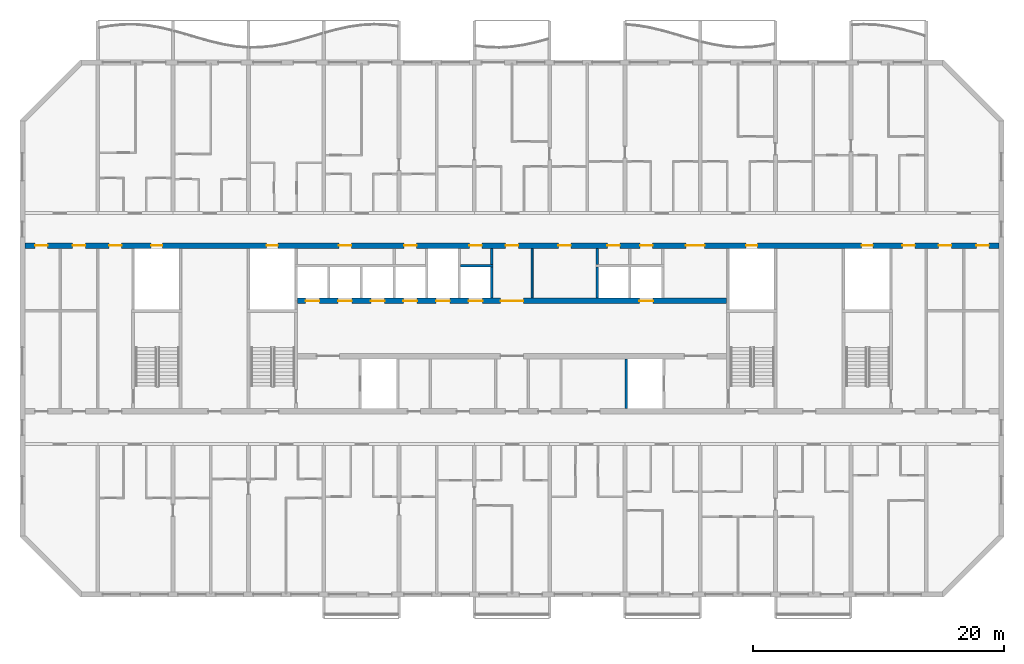
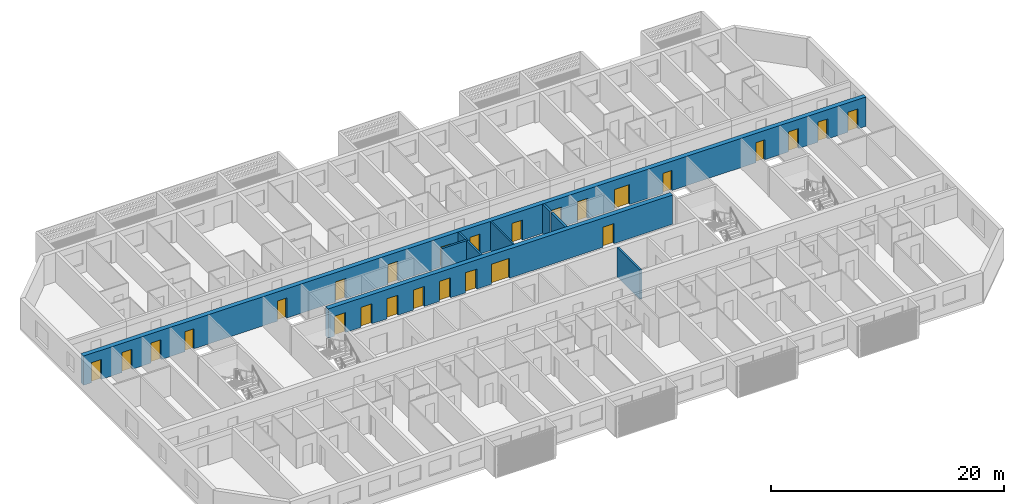
# One storey, part 7 of 32: 26 doors, 9 walls, 26 openings.
"""IFC4 building model written with IfcOpenShell, lengths in metres."""

from ifc_helpers import new_model, si_unit, direction, frame, frame_2d, origin, place, context, subcontext, project, spatial, rectangle, extrude, material, layer, layer_set, type_object, element, fill, save


model = new_model("IFC4")

# Units and contexts
model_context = context("Model", 3, precision=1e-05, world=origin(), true_north=direction((0.0, 1.0)))
body_context = subcontext(model_context, "Body", "Model", "MODEL_VIEW")
ifc_project = project(units=[si_unit("LENGTHUNIT", "METRE"), si_unit("AREAUNIT", "SQUARE_METRE"), si_unit("VOLUMEUNIT", "CUBIC_METRE"), si_unit("PLANEANGLEUNIT", "RADIAN"), si_unit("MASSUNIT", "GRAM", prefix="KILO")], contexts=[model_context])

# Site, building, storey
site_placement = place(None, origin())
site = spatial("IfcSite", under=ifc_project, at=site_placement, CompositionType="ELEMENT")
building_placement = place(site_placement, origin())
building = spatial("IfcBuilding", under=site, at=building_placement, Name="Poui Terraces", CompositionType="ELEMENT")
storey_placement = place(building_placement, frame((0.0, 0.0, 125.699951171875)))
storey = spatial("IfcBuildingStorey", under=building, at=storey_placement, Name="L34", CompositionType="ELEMENT", Elevation=125.699951171875)

# Wall, openings, doors
ifc_material_1 = material(Name="Concrete 65 MPa", Category="concrete")
ifc_layer_1 = layer(ifc_material_1, 0.449951171875)
ifc_layer_set_1 = layer_set([ifc_layer_1], Name="Concrete 65 MPa")
wall_type_1 = type_object("IfcWallType", Name="CORE WALL 450 65 MPA", PredefinedType="SOLIDWALL", material=ifc_layer_set_1)
wall_1_placement = place(storey_placement, frame((33.925048828125, 23.39990234375, 0.0), z_axis=(0.0, 0.0, 1.0), x_axis=(1.0, 0.0, 0.0)))
wall_1 = element("IfcWall", 1, at=wall_1_placement, inside=storey, type_object=wall_type_1, Name="CORE WALL", PredefinedType="SOLIDWALL", context=body_context, shape_type="SweptSolid", body=[
    extrude(rectangle(XDim=34.14990234375, YDim=0.449951171875, at=frame_2d((17.074951171875, 0.0))), origin(), (0.0, 0.0, 1.0), 3.070068359375),
])
opening_1_placement = place(wall_1_placement, frame((16.175048828125, 0.0, 0.0)))
opening_1 = element("IfcOpeningElement", 2, at=opening_1_placement, cuts=wall_1, Name="Opening FDD60", PredefinedType="OPENING", context=body_context, shape_type="SweptSolid", body=[
    extrude(rectangle(XDim=1.800048828125, YDim=2.10009765625, at=frame_2d((0.89990234375, 1.050048828125))), frame((0.0, 0.23486328125, 0.0), z_axis=(0.0, -1.0, 0.0), x_axis=(1.0, 0.0, 0.0)), (0.0, 0.0, 1.0), 0.469970703125),
])
opening_2_placement = place(wall_1_placement, frame((0.625, 0.0, 0.0)))
opening_2 = element("IfcOpeningElement", 3, at=opening_2_placement, cuts=wall_1, Name="Opening LD", PredefinedType="OPENING", context=body_context, shape_type="SweptSolid", body=[
    extrude(rectangle(XDim=1.10009765625, YDim=2.10009765625, at=frame_2d((0.550048828125, 1.050048828125))), frame((0.0, 0.23486328125, 0.0), z_axis=(0.0, -1.0, 0.0), x_axis=(1.0, 0.0, 0.0)), (0.0, 0.0, 1.0), 0.469970703125),
])
opening_3_placement = place(wall_1_placement, frame((3.22509765625, 0.0, 0.0)))
opening_3 = element("IfcOpeningElement", 4, at=opening_3_placement, cuts=wall_1, Name="Opening LD", PredefinedType="OPENING", context=body_context, shape_type="SweptSolid", body=[
    extrude(rectangle(XDim=1.10009765625, YDim=2.10009765625, at=frame_2d((0.550048828125, 1.050048828125))), frame((0.0, 0.23486328125, 0.0), z_axis=(0.0, -1.0, 0.0), x_axis=(1.0, 0.0, 0.0)), (0.0, 0.0, 1.0), 0.469970703125),
])
opening_4_placement = place(wall_1_placement, frame((5.824951171875, 0.0, 0.0)))
opening_4 = element("IfcOpeningElement", 5, at=opening_4_placement, cuts=wall_1, Name="Opening LD", PredefinedType="OPENING", context=body_context, shape_type="SweptSolid", body=[
    extrude(rectangle(XDim=1.10009765625, YDim=2.10009765625, at=frame_2d((0.550048828125, 1.050048828125))), frame((0.0, 0.23486328125, 0.0), z_axis=(0.0, -1.0, 0.0), x_axis=(1.0, 0.0, 0.0)), (0.0, 0.0, 1.0), 0.469970703125),
])
opening_5_placement = place(wall_1_placement, frame((8.425048828125, 0.0, 0.0)))
opening_5 = element("IfcOpeningElement", 6, at=opening_5_placement, cuts=wall_1, Name="Opening LD", PredefinedType="OPENING", context=body_context, shape_type="SweptSolid", body=[
    extrude(rectangle(XDim=1.10009765625, YDim=2.10009765625, at=frame_2d((0.550048828125, 1.050048828125))), frame((0.0, 0.23486328125, 0.0), z_axis=(0.0, -1.0, 0.0), x_axis=(1.0, 0.0, 0.0)), (0.0, 0.0, 1.0), 0.469970703125),
])
opening_6_placement = place(wall_1_placement, frame((11.02490234375, 0.0, 0.0)))
opening_6 = element("IfcOpeningElement", 7, at=opening_6_placement, cuts=wall_1, Name="Opening LD", PredefinedType="OPENING", context=body_context, shape_type="SweptSolid", body=[
    extrude(rectangle(XDim=1.10009765625, YDim=2.10009765625, at=frame_2d((0.550048828125, 1.050048828125))), frame((0.0, 0.23486328125, 0.0), z_axis=(0.0, -1.0, 0.0), x_axis=(1.0, 0.0, 0.0)), (0.0, 0.0, 1.0), 0.469970703125),
])
opening_7_placement = place(wall_1_placement, frame((13.625, 0.0, 0.0)))
opening_7 = element("IfcOpeningElement", 8, at=opening_7_placement, cuts=wall_1, Name="Opening LD", PredefinedType="OPENING", context=body_context, shape_type="SweptSolid", body=[
    extrude(rectangle(XDim=1.10009765625, YDim=2.10009765625, at=frame_2d((0.550048828125, 1.050048828125))), frame((0.0, 0.23486328125, 0.0), z_axis=(0.0, -1.0, 0.0), x_axis=(1.0, 0.0, 0.0)), (0.0, 0.0, 1.0), 0.469970703125),
])
opening_8_placement = place(wall_1_placement, frame((27.22509765625, 0.0, 0.0)))
opening_8 = element("IfcOpeningElement", 9, at=opening_8_placement, cuts=wall_1, Name="Opening LD", PredefinedType="OPENING", context=body_context, shape_type="SweptSolid", body=[
    extrude(rectangle(XDim=1.10009765625, YDim=2.10009765625, at=frame_2d((0.550048828125, 1.050048828125))), frame((0.0, 0.23486328125, 0.0), z_axis=(0.0, -1.0, 0.0), x_axis=(1.0, 0.0, 0.0)), (0.0, 0.0, 1.0), 0.469970703125),
])
ifc_material_2 = material(Name="Steel fire door", Category="steel")
door_type_1 = type_object("IfcDoorType", Name="DOUBLE LOBBY FIRE DOOR 1800 X 2100", OperationType="DOUBLE_DOOR_SINGLE_SWING", PredefinedType="DOOR", material=ifc_material_2)
door_1_placement = place(opening_1_placement, origin())
door_1 = element("IfcDoor", 10, at=door_1_placement, inside=storey, type_object=door_type_1, Name="DOUBLE LOBBY FIRE DOOR 125", OperationType="DOUBLE_DOOR_SINGLE_SWING", OverallHeight=2.10009765625, OverallWidth=1.800048828125, PredefinedType="DOOR", context=body_context, shape_type="SweptSolid", body=[
    extrude(rectangle(XDim=1.800048828125, YDim=2.10009765625, at=frame_2d((0.89990234375, 1.050048828125))), frame((0.0, 0.02490234375, 0.0), z_axis=(0.0, -1.0, 0.0), x_axis=(1.0, 0.0, 0.0)), (0.0, 0.0, 1.0), 0.050048828125),
])
fill(opening_1, door_1)
ifc_material_3 = material(Name="Stainless steel sliding door", Category="steel")
door_type_2 = type_object("IfcDoorType", Name="LIFT LANDING DOOR 1100 X 2100", OperationType="DOUBLE_DOOR_SLIDING", PredefinedType="DOOR", material=ifc_material_3)
door_2_placement = place(opening_2_placement, origin())
door_2 = element("IfcDoor", 11, at=door_2_placement, inside=storey, type_object=door_type_2, Name="LANDING DOOR", OperationType="DOUBLE_DOOR_SLIDING", OverallHeight=2.10009765625, OverallWidth=1.10009765625, PredefinedType="DOOR", context=body_context, shape_type="SweptSolid", body=[
    extrude(rectangle(XDim=1.10009765625, YDim=2.10009765625, at=frame_2d((0.550048828125, 1.050048828125))), frame((0.0, 0.02490234375, 0.0), z_axis=(0.0, -1.0, 0.0), x_axis=(1.0, 0.0, 0.0)), (0.0, 0.0, 1.0), 0.050048828125),
])
fill(opening_2, door_2)
door_3_placement = place(opening_3_placement, origin())
door_3 = element("IfcDoor", 12, at=door_3_placement, inside=storey, type_object=door_type_2, Name="LANDING DOOR", OperationType="DOUBLE_DOOR_SLIDING", OverallHeight=2.10009765625, OverallWidth=1.10009765625, PredefinedType="DOOR", context=body_context, shape_type="SweptSolid", body=[
    extrude(rectangle(XDim=1.10009765625, YDim=2.10009765625, at=frame_2d((0.550048828125, 1.050048828125))), frame((0.0, 0.02490234375, 0.0), z_axis=(0.0, -1.0, 0.0), x_axis=(1.0, 0.0, 0.0)), (0.0, 0.0, 1.0), 0.050048828125),
])
fill(opening_3, door_3)
door_4_placement = place(opening_4_placement, origin())
door_4 = element("IfcDoor", 13, at=door_4_placement, inside=storey, type_object=door_type_2, Name="LANDING DOOR", OperationType="DOUBLE_DOOR_SLIDING", OverallHeight=2.10009765625, OverallWidth=1.10009765625, PredefinedType="DOOR", context=body_context, shape_type="SweptSolid", body=[
    extrude(rectangle(XDim=1.10009765625, YDim=2.10009765625, at=frame_2d((0.550048828125, 1.050048828125))), frame((0.0, 0.02490234375, 0.0), z_axis=(0.0, -1.0, 0.0), x_axis=(1.0, 0.0, 0.0)), (0.0, 0.0, 1.0), 0.050048828125),
])
fill(opening_4, door_4)
door_5_placement = place(opening_5_placement, origin())
door_5 = element("IfcDoor", 14, at=door_5_placement, inside=storey, type_object=door_type_2, Name="LANDING DOOR", OperationType="DOUBLE_DOOR_SLIDING", OverallHeight=2.10009765625, OverallWidth=1.10009765625, PredefinedType="DOOR", context=body_context, shape_type="SweptSolid", body=[
    extrude(rectangle(XDim=1.10009765625, YDim=2.10009765625, at=frame_2d((0.550048828125, 1.050048828125))), frame((0.0, 0.02490234375, 0.0), z_axis=(0.0, -1.0, 0.0), x_axis=(1.0, 0.0, 0.0)), (0.0, 0.0, 1.0), 0.050048828125),
])
fill(opening_5, door_5)
door_6_placement = place(opening_6_placement, origin())
door_6 = element("IfcDoor", 15, at=door_6_placement, inside=storey, type_object=door_type_2, Name="LANDING DOOR", OperationType="DOUBLE_DOOR_SLIDING", OverallHeight=2.10009765625, OverallWidth=1.10009765625, PredefinedType="DOOR", context=body_context, shape_type="SweptSolid", body=[
    extrude(rectangle(XDim=1.10009765625, YDim=2.10009765625, at=frame_2d((0.550048828125, 1.050048828125))), frame((0.0, 0.02490234375, 0.0), z_axis=(0.0, -1.0, 0.0), x_axis=(1.0, 0.0, 0.0)), (0.0, 0.0, 1.0), 0.050048828125),
])
fill(opening_6, door_6)
door_7_placement = place(opening_7_placement, origin())
door_7 = element("IfcDoor", 16, at=door_7_placement, inside=storey, type_object=door_type_2, Name="LANDING DOOR", OperationType="DOUBLE_DOOR_SLIDING", OverallHeight=2.10009765625, OverallWidth=1.10009765625, PredefinedType="DOOR", context=body_context, shape_type="SweptSolid", body=[
    extrude(rectangle(XDim=1.10009765625, YDim=2.10009765625, at=frame_2d((0.550048828125, 1.050048828125))), frame((0.0, 0.02490234375, 0.0), z_axis=(0.0, -1.0, 0.0), x_axis=(1.0, 0.0, 0.0)), (0.0, 0.0, 1.0), 0.050048828125),
])
fill(opening_7, door_7)
door_8_placement = place(opening_8_placement, origin())
door_8 = element("IfcDoor", 17, at=door_8_placement, inside=storey, type_object=door_type_2, Name="LANDING DOOR", OperationType="DOUBLE_DOOR_SLIDING", OverallHeight=2.10009765625, OverallWidth=1.10009765625, PredefinedType="DOOR", context=body_context, shape_type="SweptSolid", body=[
    extrude(rectangle(XDim=1.10009765625, YDim=2.10009765625, at=frame_2d((0.550048828125, 1.050048828125))), frame((0.0, 0.02490234375, 0.0), z_axis=(0.0, -1.0, 0.0), x_axis=(1.0, 0.0, 0.0)), (0.0, 0.0, 1.0), 0.050048828125),
])
fill(opening_8, door_8)

# Walls
ifc_material_4 = material(Name="Fire-rated plasterboard wall")
ifc_layer_2 = layer(ifc_material_4, 0.14990234375)
ifc_layer_set_2 = layer_set([ifc_layer_2], Name="Fire-rated plasterboard wall")
wall_type_2 = type_object("IfcWallType", Name="CORRIDOR WALL 150", PredefinedType="PARTITIONING", material=ifc_layer_set_2)
wall_2_placement = place(storey_placement, frame((52.60009765625, 23.635009765625, 0.0), z_axis=(0.0, 0.0, 1.0), x_axis=(0.0, 1.0, 0.0)))
element("IfcWall", 18, at=wall_2_placement, inside=storey, type_object=wall_type_2, Name="CORRIDOR WALL 150", PredefinedType="PARTITIONING", context=body_context, shape_type="SweptSolid", body=[
    extrude(rectangle(XDim=3.929931640625, YDim=0.14990234375, at=frame_2d((1.96484375, 0.0))), origin(), (0.0, 0.0, 1.0), 3.070068359375),
])
ifc_material_5 = material(Name="Fire-rated masonry wall", Category="masonry")
ifc_layer_3 = layer(ifc_material_5, 0.199951171875)
ifc_layer_set_3 = layer_set([ifc_layer_3], Name="Fire-rated masonry wall")
wall_type_3 = type_object("IfcWallType", Name="PLANT ROOM WALL 200", PredefinedType="PARTITIONING", material=ifc_layer_set_3)
for number, where, z_axis, x_axis, name in (
    (19, (49.39990234375, 26.300048828125, 0.0), (0.0, 0.0, 1.0), (0.0, 1.0, 0.0), "PLANT ROOM WALL 200"),
    (20, (57.800048828125, 26.300048828125, 0.0), (0.0, 0.0, 1.0), (0.0, 1.0, 0.0), "PLANT ROOM WALL 200"),
):
    element("IfcWall", number, at=place(storey_placement, frame(where, z_axis=z_axis, x_axis=x_axis)), inside=storey, type_object=wall_type_3, Name=name, PredefinedType="PARTITIONING", context=body_context, shape_type="SweptSolid", body=[
        extrude(rectangle(XDim=1.264892578125, YDim=0.199951171875, at=frame_2d((0.63232421875, 0.0))), origin(), (0.0, 0.0, 1.0), 3.070068359375),
    ])
ifc_material_6 = material(Name="Fire-rated masonry shaft wall", Category="masonry")
ifc_layer_4 = layer(ifc_material_6, 0.199951171875)
ifc_layer_set_4 = layer_set([ifc_layer_4], Name="Fire-rated masonry shaft wall")
wall_type_4 = type_object("IfcWallType", Name="SHAFT WALL 200", PredefinedType="PARTITIONING", material=ifc_layer_set_4)
wall_3_placement = place(storey_placement, frame((46.89990234375, 26.199951171875, 0.0), z_axis=(0.0, 0.0, 1.0), x_axis=(1.0, 0.0, 0.0)))
element("IfcWall", 21, at=wall_3_placement, inside=storey, type_object=wall_type_4, Name="SHAFT WALL 200", PredefinedType="PARTITIONING", context=body_context, shape_type="SweptSolid", body=[
    extrude(rectangle(XDim=2.60009765625, YDim=0.199951171875, at=frame_2d((1.300048828125, 0.0))), origin(), (0.0, 0.0, 1.0), 3.070068359375),
])
for number, where, z_axis, x_axis, name in (
    (22, (49.39990234375, 23.635009765625, 0.0), (0.0, 0.0, 1.0), (0.0, 1.0, 0.0), "SHAFT WALL 200"),
    (23, (57.800048828125, 23.635009765625, 0.0), (0.0, 0.0, 1.0), (0.0, 1.0, 0.0), "SHAFT WALL 200"),
):
    element("IfcWall", number, at=place(storey_placement, frame(where, z_axis=z_axis, x_axis=x_axis)), inside=storey, type_object=wall_type_4, Name=name, PredefinedType="PARTITIONING", context=body_context, shape_type="SweptSolid", body=[
        extrude(rectangle(XDim=2.465087890625, YDim=0.199951171875, at=frame_2d((1.232421875, 0.0))), origin(), (0.0, 0.0, 1.0), 3.070068359375),
    ])
wall_4_placement = place(storey_placement, frame((60.10009765625, 14.8349609375, 0.0), z_axis=(0.0, 0.0, 1.0), x_axis=(0.0, 1.0, 0.0)))
element("IfcWall", 24, at=wall_4_placement, inside=storey, type_object=wall_type_4, Name="SHAFT WALL 200", PredefinedType="PARTITIONING", context=body_context, shape_type="SweptSolid", body=[
    extrude(rectangle(XDim=3.929931640625, YDim=0.199951171875, at=frame_2d((1.96484375, 0.0))), origin(), (0.0, 0.0, 1.0), 3.070068359375),
])

# Wall, openings, doors
ifc_layer_5 = layer(ifc_material_1, 0.449951171875)
ifc_layer_set_5 = layer_set([ifc_layer_5], Name="Concrete 65 MPa")
wall_type_5 = type_object("IfcWallType", Name="SPINE WALL 450 65 MPA", PredefinedType="SOLIDWALL", material=ifc_layer_set_5)
wall_5_placement = place(storey_placement, frame((12.199951171875, 27.800048828125, 0.0), z_axis=(0.0, 0.0, 1.0), x_axis=(1.0, 0.0, 0.0)))
wall_5 = element("IfcWall", 25, at=wall_5_placement, inside=storey, type_object=wall_type_5, Name="SPINE WALL", PredefinedType="SOLIDWALL", context=body_context, shape_type="SweptSolid", body=[
    extrude(rectangle(XDim=77.60009765625, YDim=0.449951171875, at=frame_2d((38.800048828125, 0.0))), origin(), (0.0, 0.0, 1.0), 3.070068359375),
])
opening_9_placement = place(wall_5_placement, frame((0.800048828125, 0.0, 0.0)))
opening_9 = element("IfcOpeningElement", 26, at=opening_9_placement, cuts=wall_5, Name="Opening FD60", PredefinedType="OPENING", context=body_context, shape_type="SweptSolid", body=[
    extrude(rectangle(XDim=1.0, YDim=2.10009765625, at=frame_2d((0.5, 1.050048828125))), frame((0.0, 0.23486328125, 0.0), z_axis=(0.0, -1.0, 0.0), x_axis=(1.0, 0.0, 0.0)), (0.0, 0.0, 1.0), 0.469970703125),
])
opening_10_placement = place(wall_5_placement, frame((3.800048828125, 0.0, 0.0)))
opening_10 = element("IfcOpeningElement", 27, at=opening_10_placement, cuts=wall_5, Name="Opening D100", PredefinedType="OPENING", context=body_context, shape_type="SweptSolid", body=[
    extrude(rectangle(XDim=1.0, YDim=2.10009765625, at=frame_2d((0.5, 1.050048828125))), frame((0.0, 0.23486328125, 0.0), z_axis=(0.0, -1.0, 0.0), x_axis=(1.0, 0.0, 0.0)), (0.0, 0.0, 1.0), 0.469970703125),
])
opening_11_placement = place(wall_5_placement, frame((6.699951171875, 0.0, 0.0)))
opening_11 = element("IfcOpeningElement", 28, at=opening_11_placement, cuts=wall_5, Name="Opening FDL", PredefinedType="OPENING", context=body_context, shape_type="SweptSolid", body=[
    extrude(rectangle(XDim=1.0, YDim=2.10009765625, at=frame_2d((0.5, 1.050048828125))), frame((0.0, 0.23486328125, 0.0), z_axis=(0.0, -1.0, 0.0), x_axis=(1.0, 0.0, 0.0)), (0.0, 0.0, 1.0), 0.469970703125),
])
opening_12_placement = place(wall_5_placement, frame((10.050048828125, 0.0, 0.0)))
opening_12 = element("IfcOpeningElement", 29, at=opening_12_placement, cuts=wall_5, Name="Opening FDR", PredefinedType="OPENING", context=body_context, shape_type="SweptSolid", body=[
    extrude(rectangle(XDim=0.89990234375, YDim=2.10009765625, at=frame_2d((0.449951171875, 1.050048828125))), frame((0.0, 0.23486328125, 0.0), z_axis=(0.0, -1.0, 0.0), x_axis=(1.0, 0.0, 0.0)), (0.0, 0.0, 1.0), 0.469970703125),
])
opening_13_placement = place(wall_5_placement, frame((19.25, 0.0, 0.0)))
opening_13 = element("IfcOpeningElement", 30, at=opening_13_placement, cuts=wall_5, Name="Opening FDR", PredefinedType="OPENING", context=body_context, shape_type="SweptSolid", body=[
    extrude(rectangle(XDim=0.89990234375, YDim=2.10009765625, at=frame_2d((0.449951171875, 1.050048828125))), frame((0.0, 0.23486328125, 0.0), z_axis=(0.0, -1.0, 0.0), x_axis=(1.0, 0.0, 0.0)), (0.0, 0.0, 1.0), 0.469970703125),
])
opening_14_placement = place(wall_5_placement, frame((25.0, 0.0, 0.0)))
opening_14 = element("IfcOpeningElement", 31, at=opening_14_placement, cuts=wall_5, Name="Opening FD60", PredefinedType="OPENING", context=body_context, shape_type="SweptSolid", body=[
    extrude(rectangle(XDim=1.0, YDim=2.10009765625, at=frame_2d((0.5, 1.050048828125))), frame((0.0, 0.23486328125, 0.0), z_axis=(0.0, -1.0, 0.0), x_axis=(1.0, 0.0, 0.0)), (0.0, 0.0, 1.0), 0.469970703125),
])
opening_15_placement = place(wall_5_placement, frame((30.199951171875, 0.0, 0.0)))
opening_15 = element("IfcOpeningElement", 32, at=opening_15_placement, cuts=wall_5, Name="Opening FD60", PredefinedType="OPENING", context=body_context, shape_type="SweptSolid", body=[
    extrude(rectangle(XDim=1.0, YDim=2.10009765625, at=frame_2d((0.5, 1.050048828125))), frame((0.0, 0.23486328125, 0.0), z_axis=(0.0, -1.0, 0.0), x_axis=(1.0, 0.0, 0.0)), (0.0, 0.0, 1.0), 0.469970703125),
])
opening_16_placement = place(wall_5_placement, frame((35.39990234375, 0.0, 0.0)))
opening_16 = element("IfcOpeningElement", 33, at=opening_16_placement, cuts=wall_5, Name="Opening FD60", PredefinedType="OPENING", context=body_context, shape_type="SweptSolid", body=[
    extrude(rectangle(XDim=1.0, YDim=2.10009765625, at=frame_2d((0.5, 1.050048828125))), frame((0.0, 0.23486328125, 0.0), z_axis=(0.0, -1.0, 0.0), x_axis=(1.0, 0.0, 0.0)), (0.0, 0.0, 1.0), 0.469970703125),
])
opening_17_placement = place(wall_5_placement, frame((38.300048828125, 0.0, 0.0)))
opening_17 = element("IfcOpeningElement", 34, at=opening_17_placement, cuts=wall_5, Name="Opening FDL", PredefinedType="OPENING", context=body_context, shape_type="SweptSolid", body=[
    extrude(rectangle(XDim=1.0, YDim=2.10009765625, at=frame_2d((0.5, 1.050048828125))), frame((0.0, 0.23486328125, 0.0), z_axis=(0.0, -1.0, 0.0), x_axis=(1.0, 0.0, 0.0)), (0.0, 0.0, 1.0), 0.469970703125),
])
opening_18_placement = place(wall_5_placement, frame((42.5, 0.0, 0.0)))
opening_18 = element("IfcOpeningElement", 35, at=opening_18_placement, cuts=wall_5, Name="Opening FD60", PredefinedType="OPENING", context=body_context, shape_type="SweptSolid", body=[
    extrude(rectangle(XDim=1.0, YDim=2.10009765625, at=frame_2d((0.5, 1.050048828125))), frame((0.0, 0.23486328125, 0.0), z_axis=(0.0, -1.0, 0.0), x_axis=(1.0, 0.0, 0.0)), (0.0, 0.0, 1.0), 0.469970703125),
])
opening_19_placement = place(wall_5_placement, frame((46.39990234375, 0.0, 0.0)))
opening_19 = element("IfcOpeningElement", 36, at=opening_19_placement, cuts=wall_5, Name="Opening FD60", PredefinedType="OPENING", context=body_context, shape_type="SweptSolid", body=[
    extrude(rectangle(XDim=1.0, YDim=2.10009765625, at=frame_2d((0.5, 1.050048828125))), frame((0.0, 0.23486328125, 0.0), z_axis=(0.0, -1.0, 0.0), x_axis=(1.0, 0.0, 0.0)), (0.0, 0.0, 1.0), 0.469970703125),
])
opening_20_placement = place(wall_5_placement, frame((49.0, 0.0, 0.0)))
opening_20 = element("IfcOpeningElement", 37, at=opening_20_placement, cuts=wall_5, Name="Opening FD60", PredefinedType="OPENING", context=body_context, shape_type="SweptSolid", body=[
    extrude(rectangle(XDim=1.0, YDim=2.10009765625, at=frame_2d((0.5, 1.050048828125))), frame((0.0, 0.23486328125, 0.0), z_axis=(0.0, -1.0, 0.0), x_axis=(1.0, 0.0, 0.0)), (0.0, 0.0, 1.0), 0.469970703125),
])
opening_21_placement = place(wall_5_placement, frame((52.64990234375, 0.0, 0.0)))
opening_21 = element("IfcOpeningElement", 38, at=opening_21_placement, cuts=wall_5, Name="Opening FDP", PredefinedType="OPENING", context=body_context, shape_type="SweptSolid", body=[
    extrude(rectangle(XDim=1.5, YDim=2.10009765625, at=frame_2d((0.75, 1.050048828125))), frame((0.0, 0.23486328125, 0.0), z_axis=(0.0, -1.0, 0.0), x_axis=(1.0, 0.0, 0.0)), (0.0, 0.0, 1.0), 0.469970703125),
])
opening_22_placement = place(wall_5_placement, frame((57.449951171875, 0.0, 0.0)))
opening_22 = element("IfcOpeningElement", 39, at=opening_22_placement, cuts=wall_5, Name="Opening FDR", PredefinedType="OPENING", context=body_context, shape_type="SweptSolid", body=[
    extrude(rectangle(XDim=0.89990234375, YDim=2.10009765625, at=frame_2d((0.449951171875, 1.050048828125))), frame((0.0, 0.23486328125, 0.0), z_axis=(0.0, -1.0, 0.0), x_axis=(1.0, 0.0, 0.0)), (0.0, 0.0, 1.0), 0.469970703125),
])
opening_23_placement = place(wall_5_placement, frame((66.64990234375, 0.0, 0.0)))
opening_23 = element("IfcOpeningElement", 40, at=opening_23_placement, cuts=wall_5, Name="Opening FDR", PredefinedType="OPENING", context=body_context, shape_type="SweptSolid", body=[
    extrude(rectangle(XDim=0.89990234375, YDim=2.10009765625, at=frame_2d((0.449951171875, 1.050048828125))), frame((0.0, 0.23486328125, 0.0), z_axis=(0.0, -1.0, 0.0), x_axis=(1.0, 0.0, 0.0)), (0.0, 0.0, 1.0), 0.469970703125),
])
opening_24_placement = place(wall_5_placement, frame((69.89990234375, 0.0, 0.0)))
opening_24 = element("IfcOpeningElement", 41, at=opening_24_placement, cuts=wall_5, Name="Opening FDL", PredefinedType="OPENING", context=body_context, shape_type="SweptSolid", body=[
    extrude(rectangle(XDim=1.0, YDim=2.10009765625, at=frame_2d((0.5, 1.050048828125))), frame((0.0, 0.23486328125, 0.0), z_axis=(0.0, -1.0, 0.0), x_axis=(1.0, 0.0, 0.0)), (0.0, 0.0, 1.0), 0.469970703125),
])
opening_25_placement = place(wall_5_placement, frame((72.800048828125, 0.0, 0.0)))
opening_25 = element("IfcOpeningElement", 42, at=opening_25_placement, cuts=wall_5, Name="Opening FD60", PredefinedType="OPENING", context=body_context, shape_type="SweptSolid", body=[
    extrude(rectangle(XDim=1.0, YDim=2.10009765625, at=frame_2d((0.5, 1.050048828125))), frame((0.0, 0.23486328125, 0.0), z_axis=(0.0, -1.0, 0.0), x_axis=(1.0, 0.0, 0.0)), (0.0, 0.0, 1.0), 0.469970703125),
])
opening_26_placement = place(wall_5_placement, frame((75.800048828125, 0.0, 0.0)))
opening_26 = element("IfcOpeningElement", 43, at=opening_26_placement, cuts=wall_5, Name="Opening FD60", PredefinedType="OPENING", context=body_context, shape_type="SweptSolid", body=[
    extrude(rectangle(XDim=1.0, YDim=2.10009765625, at=frame_2d((0.5, 1.050048828125))), frame((0.0, 0.23486328125, 0.0), z_axis=(0.0, -1.0, 0.0), x_axis=(1.0, 0.0, 0.0)), (0.0, 0.0, 1.0), 0.469970703125),
])
ifc_material_7 = material(Name="Solid core timber door", Category="wood")
door_type_3 = type_object("IfcDoorType", Name="ACCESSIBLE INTERNAL DOOR 1000 X 2100", OperationType="NOTDEFINED", PredefinedType="DOOR", material=ifc_material_7)
door_9_placement = place(opening_10_placement, origin())
door_9 = element("IfcDoor", 44, at=door_9_placement, inside=storey, type_object=door_type_3, Name="ACCESSIBLE INTERNAL DOOR 002", OperationType="SINGLE_SWING_LEFT", OverallHeight=2.10009765625, OverallWidth=1.0, PredefinedType="DOOR", context=body_context, shape_type="SweptSolid", body=[
    extrude(rectangle(XDim=1.0, YDim=2.10009765625, at=frame_2d((0.5, 1.050048828125))), frame((0.0, 0.02490234375, 0.0), z_axis=(0.0, -1.0, 0.0), x_axis=(1.0, 0.0, 0.0)), (0.0, 0.0, 1.0), 0.050048828125),
])
fill(opening_10, door_9)
door_type_4 = type_object("IfcDoorType", Name="LOBBY FIRE DOOR 1000 X 2100", OperationType="NOTDEFINED", PredefinedType="DOOR", material=ifc_material_2)
door_10_placement = place(opening_11_placement, origin())
door_10 = element("IfcDoor", 45, at=door_10_placement, inside=storey, type_object=door_type_4, Name="LOBBY FIRE DOOR 003", OperationType="SINGLE_SWING_LEFT", OverallHeight=2.10009765625, OverallWidth=1.0, PredefinedType="DOOR", context=body_context, shape_type="SweptSolid", body=[
    extrude(rectangle(XDim=1.0, YDim=2.10009765625, at=frame_2d((0.5, 1.050048828125))), frame((0.0, 0.02490234375, 0.0), z_axis=(0.0, -1.0, 0.0), x_axis=(1.0, 0.0, 0.0)), (0.0, 0.0, 1.0), 0.050048828125),
])
fill(opening_11, door_10)
door_11_placement = place(opening_17_placement, origin())
door_11 = element("IfcDoor", 46, at=door_11_placement, inside=storey, type_object=door_type_4, Name="LOBBY FIRE DOOR 009", OperationType="SINGLE_SWING_RIGHT", OverallHeight=2.10009765625, OverallWidth=1.0, PredefinedType="DOOR", context=body_context, shape_type="SweptSolid", body=[
    extrude(rectangle(XDim=1.0, YDim=2.10009765625, at=frame_2d((0.5, 1.050048828125))), frame((0.0, 0.02490234375, 0.0), z_axis=(0.0, -1.0, 0.0), x_axis=(1.0, 0.0, 0.0)), (0.0, 0.0, 1.0), 0.050048828125),
])
fill(opening_17, door_11)
door_12_placement = place(opening_24_placement, origin())
door_12 = element("IfcDoor", 47, at=door_12_placement, inside=storey, type_object=door_type_4, Name="LOBBY FIRE DOOR 016", OperationType="SINGLE_SWING_RIGHT", OverallHeight=2.10009765625, OverallWidth=1.0, PredefinedType="DOOR", context=body_context, shape_type="SweptSolid", body=[
    extrude(rectangle(XDim=1.0, YDim=2.10009765625, at=frame_2d((0.5, 1.050048828125))), frame((0.0, 0.02490234375, 0.0), z_axis=(0.0, -1.0, 0.0), x_axis=(1.0, 0.0, 0.0)), (0.0, 0.0, 1.0), 0.050048828125),
])
fill(opening_24, door_12)
door_type_5 = type_object("IfcDoorType", Name="PLANT ROOM DOOR PAIR 1500 X 2100", OperationType="DOUBLE_DOOR_SINGLE_SWING", PredefinedType="DOOR", material=ifc_material_2)
door_13_placement = place(opening_21_placement, origin())
door_13 = element("IfcDoor", 48, at=door_13_placement, inside=storey, type_object=door_type_5, Name="PLANT ROOM DOOR PAIR 013", OperationType="DOUBLE_DOOR_SINGLE_SWING", OverallHeight=2.10009765625, OverallWidth=1.5, PredefinedType="DOOR", context=body_context, shape_type="SweptSolid", body=[
    extrude(rectangle(XDim=1.5, YDim=2.10009765625, at=frame_2d((0.75, 1.050048828125))), frame((0.0, 0.02490234375, 0.0), z_axis=(0.0, -1.0, 0.0), x_axis=(1.0, 0.0, 0.0)), (0.0, 0.0, 1.0), 0.050048828125),
])
fill(opening_21, door_13)
door_type_6 = type_object("IfcDoorType", Name="RISER CUPBOARD DOOR 900 X 2100", OperationType="NOTDEFINED", PredefinedType="DOOR", material=ifc_material_2)
door_14_placement = place(opening_12_placement, origin())
door_14 = element("IfcDoor", 49, at=door_14_placement, inside=storey, type_object=door_type_6, Name="RISER CUPBOARD DOOR 004", OperationType="SINGLE_SWING_LEFT", OverallHeight=2.10009765625, OverallWidth=0.89990234375, PredefinedType="DOOR", context=body_context, shape_type="SweptSolid", body=[
    extrude(rectangle(XDim=0.89990234375, YDim=2.10009765625, at=frame_2d((0.449951171875, 1.050048828125))), frame((0.0, 0.02490234375, 0.0), z_axis=(0.0, -1.0, 0.0), x_axis=(1.0, 0.0, 0.0)), (0.0, 0.0, 1.0), 0.050048828125),
])
fill(opening_12, door_14)
door_15_placement = place(opening_13_placement, origin())
door_15 = element("IfcDoor", 50, at=door_15_placement, inside=storey, type_object=door_type_6, Name="RISER CUPBOARD DOOR 005", OperationType="SINGLE_SWING_LEFT", OverallHeight=2.10009765625, OverallWidth=0.89990234375, PredefinedType="DOOR", context=body_context, shape_type="SweptSolid", body=[
    extrude(rectangle(XDim=0.89990234375, YDim=2.10009765625, at=frame_2d((0.449951171875, 1.050048828125))), frame((0.0, 0.02490234375, 0.0), z_axis=(0.0, -1.0, 0.0), x_axis=(1.0, 0.0, 0.0)), (0.0, 0.0, 1.0), 0.050048828125),
])
fill(opening_13, door_15)
door_16_placement = place(opening_22_placement, origin())
door_16 = element("IfcDoor", 51, at=door_16_placement, inside=storey, type_object=door_type_6, Name="RISER CUPBOARD DOOR 014", OperationType="SINGLE_SWING_RIGHT", OverallHeight=2.10009765625, OverallWidth=0.89990234375, PredefinedType="DOOR", context=body_context, shape_type="SweptSolid", body=[
    extrude(rectangle(XDim=0.89990234375, YDim=2.10009765625, at=frame_2d((0.449951171875, 1.050048828125))), frame((0.0, 0.02490234375, 0.0), z_axis=(0.0, -1.0, 0.0), x_axis=(1.0, 0.0, 0.0)), (0.0, 0.0, 1.0), 0.050048828125),
])
fill(opening_22, door_16)
door_17_placement = place(opening_23_placement, origin())
door_17 = element("IfcDoor", 52, at=door_17_placement, inside=storey, type_object=door_type_6, Name="RISER CUPBOARD DOOR 015", OperationType="SINGLE_SWING_RIGHT", OverallHeight=2.10009765625, OverallWidth=0.89990234375, PredefinedType="DOOR", context=body_context, shape_type="SweptSolid", body=[
    extrude(rectangle(XDim=0.89990234375, YDim=2.10009765625, at=frame_2d((0.449951171875, 1.050048828125))), frame((0.0, 0.02490234375, 0.0), z_axis=(0.0, -1.0, 0.0), x_axis=(1.0, 0.0, 0.0)), (0.0, 0.0, 1.0), 0.050048828125),
])
fill(opening_23, door_17)
door_type_7 = type_object("IfcDoorType", Name="SERVICE ROOM FIRE DOOR 1000 X 2100", OperationType="NOTDEFINED", PredefinedType="DOOR", material=ifc_material_2)
door_18_placement = place(opening_9_placement, origin())
door_18 = element("IfcDoor", 53, at=door_18_placement, inside=storey, type_object=door_type_7, Name="SERVICE ROOM FIRE DOOR 001", OperationType="SINGLE_SWING_RIGHT", OverallHeight=2.10009765625, OverallWidth=1.0, PredefinedType="DOOR", context=body_context, shape_type="SweptSolid", body=[
    extrude(rectangle(XDim=1.0, YDim=2.10009765625, at=frame_2d((0.5, 1.050048828125))), frame((0.0, 0.02490234375, 0.0), z_axis=(0.0, -1.0, 0.0), x_axis=(1.0, 0.0, 0.0)), (0.0, 0.0, 1.0), 0.050048828125),
])
fill(opening_9, door_18)
door_19_placement = place(opening_14_placement, origin())
door_19 = element("IfcDoor", 54, at=door_19_placement, inside=storey, type_object=door_type_7, Name="SERVICE ROOM FIRE DOOR 006", OperationType="SINGLE_SWING_LEFT", OverallHeight=2.10009765625, OverallWidth=1.0, PredefinedType="DOOR", context=body_context, shape_type="SweptSolid", body=[
    extrude(rectangle(XDim=1.0, YDim=2.10009765625, at=frame_2d((0.5, 1.050048828125))), frame((0.0, 0.02490234375, 0.0), z_axis=(0.0, -1.0, 0.0), x_axis=(1.0, 0.0, 0.0)), (0.0, 0.0, 1.0), 0.050048828125),
])
fill(opening_14, door_19)
door_20_placement = place(opening_15_placement, origin())
door_20 = element("IfcDoor", 55, at=door_20_placement, inside=storey, type_object=door_type_7, Name="SERVICE ROOM FIRE DOOR 007", OperationType="SINGLE_SWING_RIGHT", OverallHeight=2.10009765625, OverallWidth=1.0, PredefinedType="DOOR", context=body_context, shape_type="SweptSolid", body=[
    extrude(rectangle(XDim=1.0, YDim=2.10009765625, at=frame_2d((0.5, 1.050048828125))), frame((0.0, 0.02490234375, 0.0), z_axis=(0.0, -1.0, 0.0), x_axis=(1.0, 0.0, 0.0)), (0.0, 0.0, 1.0), 0.050048828125),
])
fill(opening_15, door_20)
door_21_placement = place(opening_16_placement, origin())
door_21 = element("IfcDoor", 56, at=door_21_placement, inside=storey, type_object=door_type_7, Name="SERVICE ROOM FIRE DOOR 008", OperationType="SINGLE_SWING_LEFT", OverallHeight=2.10009765625, OverallWidth=1.0, PredefinedType="DOOR", context=body_context, shape_type="SweptSolid", body=[
    extrude(rectangle(XDim=1.0, YDim=2.10009765625, at=frame_2d((0.5, 1.050048828125))), frame((0.0, 0.02490234375, 0.0), z_axis=(0.0, -1.0, 0.0), x_axis=(1.0, 0.0, 0.0)), (0.0, 0.0, 1.0), 0.050048828125),
])
fill(opening_16, door_21)
door_22_placement = place(opening_18_placement, origin())
door_22 = element("IfcDoor", 57, at=door_22_placement, inside=storey, type_object=door_type_7, Name="SERVICE ROOM FIRE DOOR 010", OperationType="SINGLE_SWING_RIGHT", OverallHeight=2.10009765625, OverallWidth=1.0, PredefinedType="DOOR", context=body_context, shape_type="SweptSolid", body=[
    extrude(rectangle(XDim=1.0, YDim=2.10009765625, at=frame_2d((0.5, 1.050048828125))), frame((0.0, 0.02490234375, 0.0), z_axis=(0.0, -1.0, 0.0), x_axis=(1.0, 0.0, 0.0)), (0.0, 0.0, 1.0), 0.050048828125),
])
fill(opening_18, door_22)
door_23_placement = place(opening_19_placement, origin())
door_23 = element("IfcDoor", 58, at=door_23_placement, inside=storey, type_object=door_type_7, Name="SERVICE ROOM FIRE DOOR 011", OperationType="SINGLE_SWING_LEFT", OverallHeight=2.10009765625, OverallWidth=1.0, PredefinedType="DOOR", context=body_context, shape_type="SweptSolid", body=[
    extrude(rectangle(XDim=1.0, YDim=2.10009765625, at=frame_2d((0.5, 1.050048828125))), frame((0.0, 0.02490234375, 0.0), z_axis=(0.0, -1.0, 0.0), x_axis=(1.0, 0.0, 0.0)), (0.0, 0.0, 1.0), 0.050048828125),
])
fill(opening_19, door_23)
door_24_placement = place(opening_20_placement, origin())
door_24 = element("IfcDoor", 59, at=door_24_placement, inside=storey, type_object=door_type_7, Name="SERVICE ROOM FIRE DOOR 012", OperationType="SINGLE_SWING_RIGHT", OverallHeight=2.10009765625, OverallWidth=1.0, PredefinedType="DOOR", context=body_context, shape_type="SweptSolid", body=[
    extrude(rectangle(XDim=1.0, YDim=2.10009765625, at=frame_2d((0.5, 1.050048828125))), frame((0.0, 0.02490234375, 0.0), z_axis=(0.0, -1.0, 0.0), x_axis=(1.0, 0.0, 0.0)), (0.0, 0.0, 1.0), 0.050048828125),
])
fill(opening_20, door_24)
door_25_placement = place(opening_25_placement, origin())
door_25 = element("IfcDoor", 60, at=door_25_placement, inside=storey, type_object=door_type_7, Name="SERVICE ROOM FIRE DOOR 017", OperationType="SINGLE_SWING_RIGHT", OverallHeight=2.10009765625, OverallWidth=1.0, PredefinedType="DOOR", context=body_context, shape_type="SweptSolid", body=[
    extrude(rectangle(XDim=1.0, YDim=2.10009765625, at=frame_2d((0.5, 1.050048828125))), frame((0.0, 0.02490234375, 0.0), z_axis=(0.0, -1.0, 0.0), x_axis=(1.0, 0.0, 0.0)), (0.0, 0.0, 1.0), 0.050048828125),
])
fill(opening_25, door_25)
door_26_placement = place(opening_26_placement, origin())
door_26 = element("IfcDoor", 61, at=door_26_placement, inside=storey, type_object=door_type_7, Name="SERVICE ROOM FIRE DOOR 018", OperationType="SINGLE_SWING_LEFT", OverallHeight=2.10009765625, OverallWidth=1.0, PredefinedType="DOOR", context=body_context, shape_type="SweptSolid", body=[
    extrude(rectangle(XDim=1.0, YDim=2.10009765625, at=frame_2d((0.5, 1.050048828125))), frame((0.0, 0.02490234375, 0.0), z_axis=(0.0, -1.0, 0.0), x_axis=(1.0, 0.0, 0.0)), (0.0, 0.0, 1.0), 0.050048828125),
])
fill(opening_26, door_26)

save(model, "model.ifc")
